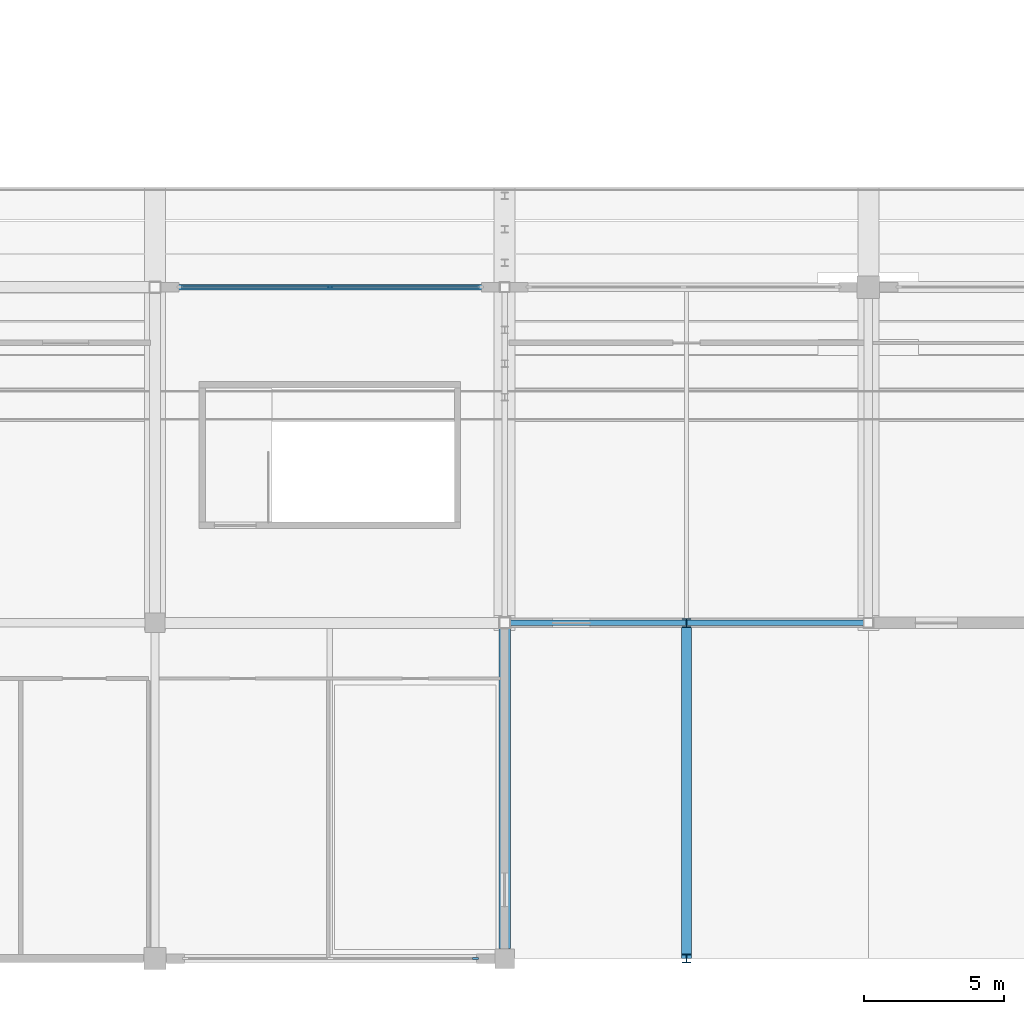
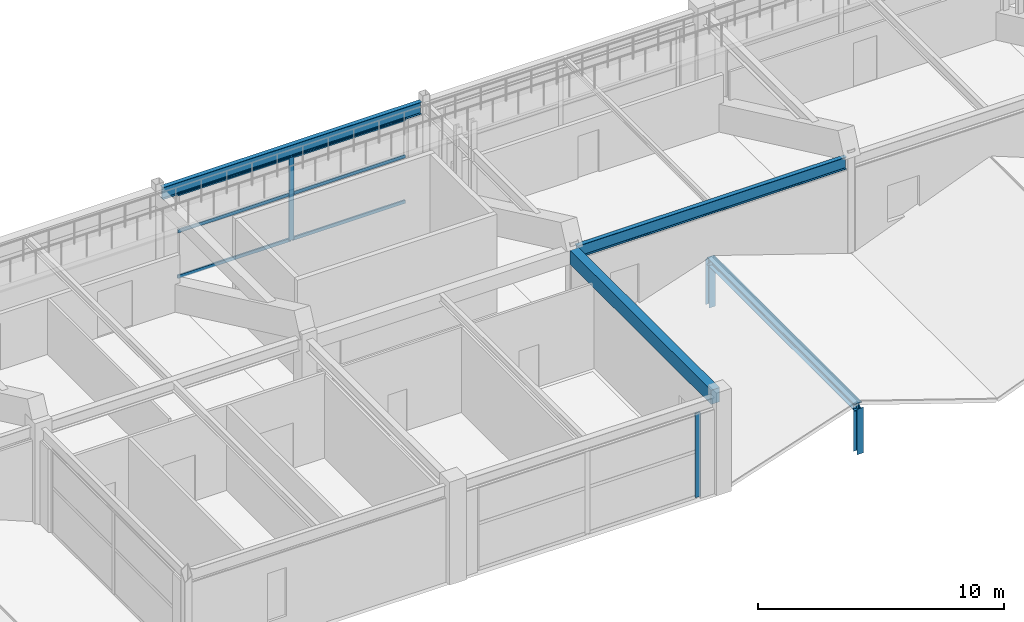
# One storey, part 34 of 128: 11 members, 3 beams, 2 elements without a shape of their own.
"""IFC4 building model written with IfcOpenShell, lengths in metres."""

from ifc_helpers import new_model, si_unit, direction, frame, origin, origin_2d, place, context, subcontext, project, spatial, rectangle, i_section, extrude, material, layer, layer_set, material_profile, profile_set, type_object, element, aggregate, save


model = new_model("IFC4")

# Units and contexts
model_context = context("Model", 3, precision=1e-05, world=origin(), true_north=direction((0.0, 1.0)))
body_context = subcontext(model_context, "Body", "Model", "MODEL_VIEW")
ifc_project = project(units=[si_unit("LENGTHUNIT", "METRE"), si_unit("AREAUNIT", "SQUARE_METRE"), si_unit("VOLUMEUNIT", "CUBIC_METRE"), si_unit("PLANEANGLEUNIT", "RADIAN"), si_unit("MASSUNIT", "GRAM", prefix="KILO")], contexts=[model_context])

# Site, building, storey
site_placement = place(None, origin())
site = spatial("IfcSite", under=ifc_project, at=site_placement, CompositionType="ELEMENT")
building_placement = place(site_placement, origin())
building = spatial("IfcBuilding", under=site, at=building_placement, Name="Kazenohara Klinker Stadium", CompositionType="ELEMENT")
storey_placement = place(building_placement, frame((0.0, 0.0, 15.300048828125)))
storey = spatial("IfcBuildingStorey", under=building, at=storey_placement, Name="L03", CompositionType="ELEMENT", Elevation=15.300048828125)

# Beams
ifc_material_1 = material(Name="Concrete C40/50", Category="concrete")
ifc_material_profile_1 = material_profile(ifc_material_1, rectangle(XDim=0.39990234375, YDim=0.699951171875, at=origin_2d()), Name="RC-BM-400x700")
ifc_profile_set_1 = profile_set([ifc_material_profile_1], Name="Concrete C40/50")
beam_type_1 = type_object("IfcBeamType", Name="BM-RC04", PredefinedType="BEAM", material=ifc_profile_set_1)
beam_1_placement = place(storey_placement, frame((99.0, 12.35009765625, 4.409912109375), z_axis=(0.0, 1.0, 0.0), x_axis=(-1.0, 0.0, 0.0)))
element("IfcBeam", 1, at=beam_1_placement, inside=storey, type_object=beam_type_1, Name="Primary girder BG04 L03 9/B-C", PredefinedType="BEAM", context=body_context, shape_type="SweptSolid", body=[
    extrude(rectangle(XDim=0.39990234375, YDim=0.699951171875, at=origin_2d()), origin(), (0.0, 0.0, 1.0), 11.449951171875),
])
ifc_material_2 = material(Name="Steel S355", Category="steel")
ifc_material_profile_2 = material_profile(ifc_material_2, i_section(OverallWidth=0.199951171875, OverallDepth=0.60009765625, WebThickness=0.010986328125, FlangeThickness=0.01708984375, FilletRadius=0.012939453125, at=origin_2d()), Name="H-600x200x11x17")
ifc_profile_set_2 = profile_set([ifc_material_profile_2], Name="Steel S355")
beam_type_2 = type_object("IfcBeamType", Name="BM-ST04", PredefinedType="BEAM", material=ifc_profile_set_2)
beam_2_placement = place(storey_placement, frame((86.699951171875, 36.0, 4.4599609375), z_axis=(1.0, 0.0, 0.0), x_axis=(0.0, 1.0, 0.0)))
element("IfcBeam", 2, at=beam_2_placement, inside=storey, type_object=beam_type_2, Name="Primary girder SB04 L03 8-9/D", PredefinedType="BEAM", context=body_context, shape_type="SweptSolid", body=[
    extrude(i_section(OverallWidth=0.199951171875, OverallDepth=0.60009765625, WebThickness=0.010986328125, FlangeThickness=0.01708984375, FilletRadius=0.012939453125, at=origin_2d()), origin(), (0.0, 0.0, 1.0), 12.125),
])
beam_3_placement = place(storey_placement, frame((99.199951171875, 24.0, 4.4599609375), z_axis=(1.0, 0.0, 0.0), x_axis=(0.0, 1.0, 0.0)))
element("IfcBeam", 3, at=beam_3_placement, inside=storey, type_object=beam_type_2, Name="Primary girder SB04 L03 9-10/C", PredefinedType="BEAM", context=body_context, shape_type="SweptSolid", body=[
    extrude(i_section(OverallWidth=0.199951171875, OverallDepth=0.60009765625, WebThickness=0.010986328125, FlangeThickness=0.01708984375, FilletRadius=0.012939453125, at=origin_2d()), origin(), (0.0, 0.0, 1.0), 12.625),
])

# Curtain wall, member
ifc_material_3 = material(Name="Anodised aluminium and triple glazing", Category="aluminium")
ifc_layer_1 = layer(ifc_material_3, 0.18994140625)
ifc_layer_set_1 = layer_set([ifc_layer_1], Name="Anodised aluminium and triple glazing")
curtain_wall_type_1 = type_object("IfcCurtainWallType", Name="CW-SYS-05", PredefinedType="USERDEFINED", material=ifc_layer_set_1)
curtain_wall_1_placement = place(storey_placement, origin())
curtain_wall_1 = element("IfcCurtainWall", 4, at=curtain_wall_1_placement, inside=storey, type_object=curtain_wall_type_1, Name="Unitised facade curtain wall CW05 L03 X7-1", ObjectType="UNITISED CURTAIN WALL", PredefinedType="USERDEFINED")
ifc_material_4 = material(Name="Anodised aluminium 6063-T6", Category="aluminium")
ifc_material_profile_3 = material_profile(ifc_material_4, rectangle(XDim=0.074951171875, YDim=0.219970703125, at=origin_2d()), Name="ALU-MUL-75x220")
ifc_profile_set_3 = profile_set([ifc_material_profile_3], Name="Anodised aluminium 6063-T6")
member_type_1 = type_object("IfcMemberType", Name="CW-MUL-220", PredefinedType="MULLION", material=ifc_profile_set_3)
member_1_placement = place(storey_placement, frame((97.95849609375, 12.0, 0.0), z_axis=(0.0, 0.0, 1.0), x_axis=(0.0, 1.0, 0.0)))
member_1 = element("IfcMember", 5, at=member_1_placement, type_object=member_type_1, Name="CW05 mullion 3", PredefinedType="MULLION", context=body_context, shape_type="SweptSolid", body=[
    extrude(rectangle(XDim=0.074951171875, YDim=0.219970703125, at=origin_2d()), origin(), (0.0, 0.0, 1.0), 4.171875),
])
aggregate(curtain_wall_1, [member_1])

# Curtain wall, members
ifc_layer_2 = layer(ifc_material_3, 0.159912109375)
ifc_layer_set_2 = layer_set([ifc_layer_2], Name="Anodised aluminium and triple glazing")
curtain_wall_type_2 = type_object("IfcCurtainWallType", Name="CW-SYS-01", PredefinedType="USERDEFINED", material=ifc_layer_set_2)
curtain_wall_2_placement = place(storey_placement, origin())
curtain_wall_2 = element("IfcCurtainWall", 6, at=curtain_wall_2_placement, inside=storey, type_object=curtain_wall_type_2, Name="Unitised facade curtain wall CW01 L03 X7-3", ObjectType="UNITISED CURTAIN WALL", PredefinedType="USERDEFINED")
member_2_placement = place(storey_placement, frame((92.762451171875, 36.0, 0.0), z_axis=(0.0, 0.0, 1.0), x_axis=(0.0, 1.0, 0.0)))
member_2 = element("IfcMember", 7, at=member_2_placement, type_object=member_type_1, Name="CW01 mullion 2", PredefinedType="MULLION", context=body_context, shape_type="SweptSolid", body=[
    extrude(rectangle(XDim=0.074951171875, YDim=0.219970703125, at=origin_2d()), origin(), (0.0, 0.0, 1.0), 4.159912109375),
])
ifc_material_profile_4 = material_profile(ifc_material_4, rectangle(XDim=0.074951171875, YDim=0.159912109375, at=origin_2d()), Name="ALU-TRN-75x160")
ifc_profile_set_4 = profile_set([ifc_material_profile_4], Name="Anodised aluminium 6063-T6")
member_type_2 = type_object("IfcMemberType", Name="CW-TRN-160", PredefinedType="USERDEFINED", material=ifc_profile_set_4)
member_3_placement = place(storey_placement, frame((87.428955078125, 36.0, 0.037353515625), z_axis=(1.0, 0.0, 0.0), x_axis=(0.0, 1.0, 0.0)))
member_3 = element("IfcMember", 8, at=member_3_placement, type_object=member_type_2, Name="CW01 transom 1.1", ObjectType="TRANSOM", PredefinedType="USERDEFINED", context=body_context, shape_type="SweptSolid", body=[
    extrude(rectangle(XDim=0.074951171875, YDim=0.159912109375, at=origin_2d()), origin(), (0.0, 0.0, 1.0), 5.296142578125),
])
member_4_placement = place(storey_placement, frame((87.428955078125, 36.0, 2.287841796875), z_axis=(1.0, 0.0, 0.0), x_axis=(0.0, 1.0, 0.0)))
member_4 = element("IfcMember", 9, at=member_4_placement, type_object=member_type_2, Name="CW01 transom 1.2", ObjectType="TRANSOM", PredefinedType="USERDEFINED", context=body_context, shape_type="SweptSolid", body=[
    extrude(rectangle(XDim=0.074951171875, YDim=0.159912109375, at=origin_2d()), origin(), (0.0, 0.0, 1.0), 5.296142578125),
])
member_5_placement = place(storey_placement, frame((87.428955078125, 36.0, 4.12255859375), z_axis=(1.0, 0.0, 0.0), x_axis=(0.0, 1.0, 0.0)))
member_5 = element("IfcMember", 10, at=member_5_placement, type_object=member_type_2, Name="CW01 transom 1.3", ObjectType="TRANSOM", PredefinedType="USERDEFINED", context=body_context, shape_type="SweptSolid", body=[
    extrude(rectangle(XDim=0.074951171875, YDim=0.159912109375, at=origin_2d()), origin(), (0.0, 0.0, 1.0), 5.296142578125),
])
member_6_placement = place(storey_placement, frame((92.800048828125, 36.0, 0.037353515625), z_axis=(1.0, 0.0, 0.0), x_axis=(0.0, 1.0, 0.0)))
member_6 = element("IfcMember", 11, at=member_6_placement, type_object=member_type_2, Name="CW01 transom 2.1", ObjectType="TRANSOM", PredefinedType="USERDEFINED", context=body_context, shape_type="SweptSolid", body=[
    extrude(rectangle(XDim=0.074951171875, YDim=0.159912109375, at=origin_2d()), origin(), (0.0, 0.0, 1.0), 5.2958984375),
])
member_7_placement = place(storey_placement, frame((92.800048828125, 36.0, 2.287841796875), z_axis=(1.0, 0.0, 0.0), x_axis=(0.0, 1.0, 0.0)))
member_7 = element("IfcMember", 12, at=member_7_placement, type_object=member_type_2, Name="CW01 transom 2.2", ObjectType="TRANSOM", PredefinedType="USERDEFINED", context=body_context, shape_type="SweptSolid", body=[
    extrude(rectangle(XDim=0.074951171875, YDim=0.159912109375, at=origin_2d()), origin(), (0.0, 0.0, 1.0), 5.2958984375),
])
member_8_placement = place(storey_placement, frame((92.800048828125, 36.0, 4.12255859375), z_axis=(1.0, 0.0, 0.0), x_axis=(0.0, 1.0, 0.0)))
member_8 = element("IfcMember", 13, at=member_8_placement, type_object=member_type_2, Name="CW01 transom 2.3", ObjectType="TRANSOM", PredefinedType="USERDEFINED", context=body_context, shape_type="SweptSolid", body=[
    extrude(rectangle(XDim=0.074951171875, YDim=0.159912109375, at=origin_2d()), origin(), (0.0, 0.0, 1.0), 5.2958984375),
])
aggregate(curtain_wall_2, [member_2, member_3, member_4, member_5, member_6, member_7, member_8])

# Members
ifc_material_profile_5 = material_profile(ifc_material_2, i_section(OverallWidth=0.35009765625, OverallDepth=0.35009765625, WebThickness=0.011962890625, FlangeThickness=0.01904296875, FilletRadius=0.012939453125, at=origin_2d()), Name="H-350x350x12x19")
ifc_profile_set_5 = profile_set([ifc_material_profile_5], Name="Steel S355")
member_type_3 = type_object("IfcMemberType", Name="MEM-CHD02", PredefinedType="CHORD", material=ifc_profile_set_5)
member_9_placement = place(storey_placement, frame((105.5, 12.0, 1.829833984375), z_axis=(0.0, 1.0, 0.0), x_axis=(-1.0, 0.0, 0.0)))
element("IfcMember", 14, at=member_9_placement, inside=storey, type_object=member_type_3, Name="Stepped pavilion gable ridge beam L03 9/B", PredefinedType="CHORD", context=body_context, shape_type="SweptSolid", body=[
    extrude(i_section(OverallWidth=0.35009765625, OverallDepth=0.35009765625, WebThickness=0.011962890625, FlangeThickness=0.01904296875, FilletRadius=0.012939453125, at=origin_2d()), origin(), (0.0, 0.0, 1.0), 12.0),
])
ifc_material_profile_6 = material_profile(ifc_material_2, i_section(OverallWidth=0.300048828125, OverallDepth=0.300048828125, WebThickness=0.010009765625, FlangeThickness=0.014892578125, FilletRadius=0.012939453125, at=origin_2d()), Name="H-300x300x10x15")
ifc_profile_set_6 = profile_set([ifc_material_profile_6], Name="Steel S355")
member_type_4 = type_object("IfcMemberType", Name="MEM-STR01", PredefinedType="STRUT", material=ifc_profile_set_6)
for number, where, z_axis, x_axis, name in (
    (15, (105.5, 12.0, -0.429931640625), (0.0, 0.0, 1.0), (1.0, 0.0, 0.0), "Stepped pavilion gable king-post L03 9/B S"),
    (16, (105.5, 24.0, -0.429931640625), (0.0, 0.0, 1.0), (1.0, 0.0, 0.0), "Stepped pavilion gable king-post L03 9/B N"),
):
    element("IfcMember", number, at=place(storey_placement, frame(where, z_axis=z_axis, x_axis=x_axis)), inside=storey, type_object=member_type_4, Name=name, PredefinedType="STRUT", context=body_context, shape_type="SweptSolid", body=[
        extrude(i_section(OverallWidth=0.300048828125, OverallDepth=0.300048828125, WebThickness=0.010009765625, FlangeThickness=0.014892578125, FilletRadius=0.012939453125, at=origin_2d()), origin(), (0.0, 0.0, 1.0), 2.259765625),
    ])

save(model, "model.ifc")
